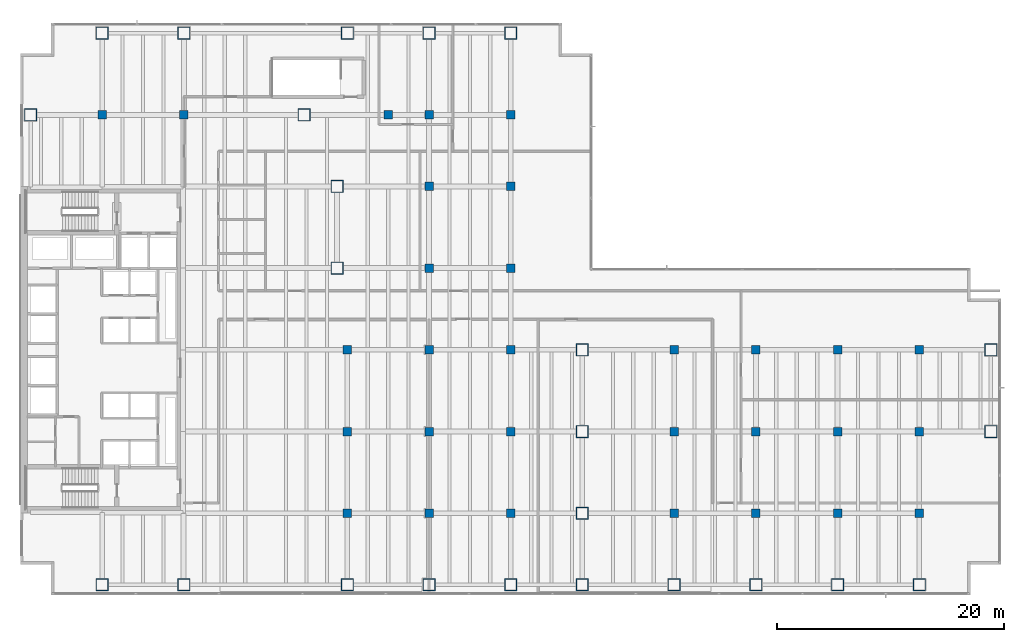
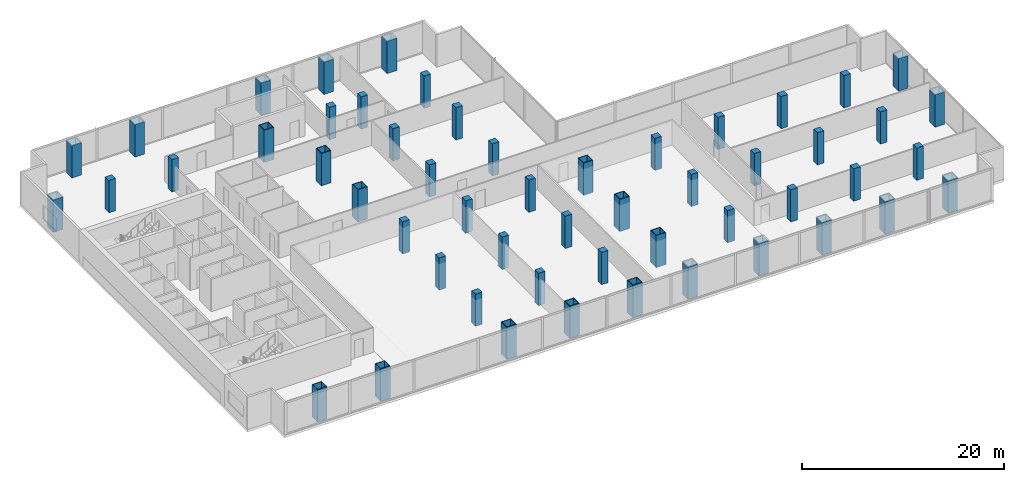
# One storey, part 1 of 32: 54 columns.
"""IFC4 building model written with IfcOpenShell, lengths in metres."""

from ifc_helpers import new_model, si_unit, direction, frame, origin, origin_2d, place, context, subcontext, project, spatial, rectangle, hollow_rectangle, extrude, material, material_profile, profile_set, type_object, element, save


model = new_model("IFC4")

# Units and contexts
model_context = context("Model", 3, precision=1e-05, world=origin(), true_north=direction((0.0, 1.0)))
body_context = subcontext(model_context, "Body", "Model", "MODEL_VIEW")
ifc_project = project(units=[si_unit("LENGTHUNIT", "METRE"), si_unit("AREAUNIT", "SQUARE_METRE"), si_unit("VOLUMEUNIT", "CUBIC_METRE"), si_unit("PLANEANGLEUNIT", "RADIAN"), si_unit("MASSUNIT", "GRAM", prefix="KILO")], contexts=[model_context])

# Site, building, storey
site_placement = place(None, origin())
site = spatial("IfcSite", under=ifc_project, at=site_placement, CompositionType="ELEMENT")
building_placement = place(site_placement, origin())
building = spatial("IfcBuilding", under=site, at=building_placement, Name="Cobrela Telecom Tower", CompositionType="ELEMENT")
storey_placement = place(building_placement, frame((0.0, 0.0, 22.050048828125)))
storey = spatial("IfcBuildingStorey", under=building, at=storey_placement, Name="L05", CompositionType="ELEMENT", Elevation=22.050048828125)

# Columns
ifc_material_1 = material(Name="Concrete C40/50", Category="concrete")
ifc_material_profile_1 = material_profile(ifc_material_1, rectangle(XDim=0.75, YDim=0.75, at=origin_2d()), Name="RC 750x750")
ifc_profile_set_1 = profile_set([ifc_material_profile_1], Name="Concrete C40/50")
column_type_1 = type_object("IfcColumnType", Name="COL-INT-03", PredefinedType="COLUMN", material=ifc_profile_set_1)
for number, where, z_axis, x_axis, name in (
    (1, (7.199951171875, 42.300048828125, 0.0), (0.0, 0.0, 1.0), (1.0, 0.0, 0.0), "L05 Interior Column 03"),
    (2, (14.39990234375, 42.300048828125, 0.0), (0.0, 0.0, 1.0), (1.0, 0.0, 0.0), "L05 Interior Column 06"),
    (3, (28.800048828125, 7.199951171875, 0.0), (0.0, 0.0, 1.0), (1.0, 0.0, 0.0), "L05 Interior Column 12"),
    (4, (28.800048828125, 14.39990234375, 0.0), (0.0, 0.0, 1.0), (1.0, 0.0, 0.0), "L05 Interior Column 13"),
    (5, (28.800048828125, 21.60009765625, 0.0), (0.0, 0.0, 1.0), (1.0, 0.0, 0.0), "L05 Interior Column 14"),
    (6, (32.39990234375, 42.300048828125, 0.0), (0.0, 0.0, 1.0), (1.0, 0.0, 0.0), "L05 Interior Column 16"),
    (7, (36.0, 7.199951171875, 0.0), (0.0, 0.0, 1.0), (1.0, 0.0, 0.0), "L05 Interior Column 18"),
    (8, (36.0, 14.39990234375, 0.0), (0.0, 0.0, 1.0), (1.0, 0.0, 0.0), "L05 Interior Column 19"),
    (9, (36.0, 21.60009765625, 0.0), (0.0, 0.0, 1.0), (1.0, 0.0, 0.0), "L05 Interior Column 20"),
    (10, (36.0, 28.800048828125, 0.0), (0.0, 0.0, 1.0), (1.0, 0.0, 0.0), "L05 Interior Column 21"),
    (11, (36.0, 36.0, 0.0), (0.0, 0.0, 1.0), (1.0, 0.0, 0.0), "L05 Interior Column 22"),
    (12, (36.0, 42.300048828125, 0.0), (0.0, 0.0, 1.0), (1.0, 0.0, 0.0), "L05 Interior Column 23"),
    (13, (43.199951171875, 7.199951171875, 0.0), (0.0, 0.0, 1.0), (1.0, 0.0, 0.0), "L05 Interior Column 26"),
    (14, (43.199951171875, 14.39990234375, 0.0), (0.0, 0.0, 1.0), (1.0, 0.0, 0.0), "L05 Interior Column 27"),
    (15, (43.199951171875, 21.60009765625, 0.0), (0.0, 0.0, 1.0), (1.0, 0.0, 0.0), "L05 Interior Column 28"),
    (16, (43.199951171875, 28.800048828125, 0.0), (0.0, 0.0, 1.0), (1.0, 0.0, 0.0), "L05 Interior Column 29"),
    (17, (43.199951171875, 36.0, 0.0), (0.0, 0.0, 1.0), (1.0, 0.0, 0.0), "L05 Interior Column 30"),
    (18, (43.199951171875, 42.300048828125, 0.0), (0.0, 0.0, 1.0), (1.0, 0.0, 0.0), "L05 Interior Column 31"),
    (19, (57.60009765625, 7.199951171875, 0.0), (0.0, 0.0, 1.0), (1.0, 0.0, 0.0), "L05 Interior Column 38"),
    (20, (57.60009765625, 14.39990234375, 0.0), (0.0, 0.0, 1.0), (1.0, 0.0, 0.0), "L05 Interior Column 39"),
    (21, (57.60009765625, 21.60009765625, 0.0), (0.0, 0.0, 1.0), (1.0, 0.0, 0.0), "L05 Interior Column 40"),
    (22, (64.800048828125, 7.199951171875, 0.0), (0.0, 0.0, 1.0), (1.0, 0.0, 0.0), "L05 Interior Column 42"),
    (23, (64.800048828125, 14.39990234375, 0.0), (0.0, 0.0, 1.0), (1.0, 0.0, 0.0), "L05 Interior Column 43"),
    (24, (64.800048828125, 21.60009765625, 0.0), (0.0, 0.0, 1.0), (1.0, 0.0, 0.0), "L05 Interior Column 44"),
    (25, (72.0, 7.199951171875, 0.0), (0.0, 0.0, 1.0), (1.0, 0.0, 0.0), "L05 Interior Column 46"),
    (26, (72.0, 14.39990234375, 0.0), (0.0, 0.0, 1.0), (1.0, 0.0, 0.0), "L05 Interior Column 47"),
    (27, (72.0, 21.60009765625, 0.0), (0.0, 0.0, 1.0), (1.0, 0.0, 0.0), "L05 Interior Column 48"),
    (28, (79.199951171875, 7.199951171875, 0.0), (0.0, 0.0, 1.0), (1.0, 0.0, 0.0), "L05 Interior Column 50"),
    (29, (79.199951171875, 14.39990234375, 0.0), (0.0, 0.0, 1.0), (1.0, 0.0, 0.0), "L05 Interior Column 51"),
    (30, (79.199951171875, 21.60009765625, 0.0), (0.0, 0.0, 1.0), (1.0, 0.0, 0.0), "L05 Interior Column 52"),
):
    element("IfcColumn", number, at=place(storey_placement, frame(where, z_axis=z_axis, x_axis=x_axis)), inside=storey, type_object=column_type_1, Name=name, PredefinedType="COLUMN", context=body_context, shape_type="SweptSolid", body=[
        extrude(rectangle(XDim=0.75, YDim=0.75, at=origin_2d()), origin(), (0.0, 0.0, 1.0), 3.89990234375),
    ])
ifc_material_2 = material(Name="Steel ASTM A572 Grade 50", Category="steel")
ifc_material_profile_2 = material_profile(ifc_material_2, hollow_rectangle(XDim=1.10009765625, YDim=1.10009765625, WallThickness=0.070068359375, at=origin_2d()), Name="BOX 1100x1100x70")
ifc_profile_set_2 = profile_set([ifc_material_profile_2], Name="Steel ASTM A572 Grade 50")
column_type_2 = type_object("IfcColumnType", Name="COL-MEGA-02", PredefinedType="COLUMN", material=ifc_profile_set_2)
for number, where, z_axis, x_axis, name in (
    (31, (0.89990234375, 42.300048828125, 0.0), (0.0, 0.0, 1.0), (1.0, 0.0, 0.0), "L05 Perimeter Mega-Column 01"),
    (32, (7.199951171875, 0.89990234375, 0.0), (0.0, 0.0, 1.0), (1.0, 0.0, 0.0), "L05 Perimeter Mega-Column 02"),
    (33, (7.199951171875, 49.5, 0.0), (0.0, 0.0, 1.0), (1.0, 0.0, 0.0), "L05 Perimeter Mega-Column 04"),
    (34, (14.39990234375, 0.89990234375, 0.0), (0.0, 0.0, 1.0), (1.0, 0.0, 0.0), "L05 Perimeter Mega-Column 05"),
    (35, (14.39990234375, 49.5, 0.0), (0.0, 0.0, 1.0), (1.0, 0.0, 0.0), "L05 Perimeter Mega-Column 07"),
    (36, (25.0, 42.300048828125, 0.0), (0.0, 0.0, 1.0), (1.0, 0.0, 0.0), "L05 Perimeter Mega-Column 08"),
    (37, (27.89990234375, 28.800048828125, 0.0), (0.0, 0.0, 1.0), (1.0, 0.0, 0.0), "L05 Perimeter Mega-Column 09"),
    (38, (27.89990234375, 36.0, 0.0), (0.0, 0.0, 1.0), (1.0, 0.0, 0.0), "L05 Perimeter Mega-Column 10"),
    (39, (28.800048828125, 0.89990234375, 0.0), (0.0, 0.0, 1.0), (1.0, 0.0, 0.0), "L05 Perimeter Mega-Column 11"),
    (40, (28.800048828125, 49.5, 0.0), (0.0, 0.0, 1.0), (1.0, 0.0, 0.0), "L05 Perimeter Mega-Column 15"),
    (41, (36.0, 0.89990234375, 0.0), (0.0, 0.0, 1.0), (1.0, 0.0, 0.0), "L05 Perimeter Mega-Column 17"),
    (42, (36.0, 49.5, 0.0), (0.0, 0.0, 1.0), (1.0, 0.0, 0.0), "L05 Perimeter Mega-Column 24"),
    (43, (43.199951171875, 0.89990234375, 0.0), (0.0, 0.0, 1.0), (1.0, 0.0, 0.0), "L05 Perimeter Mega-Column 25"),
    (44, (43.199951171875, 49.5, 0.0), (0.0, 0.0, 1.0), (1.0, 0.0, 0.0), "L05 Perimeter Mega-Column 32"),
    (45, (49.5, 0.89990234375, 0.0), (0.0, 0.0, 1.0), (1.0, 0.0, 0.0), "L05 Perimeter Mega-Column 33"),
    (46, (49.5, 7.199951171875, 0.0), (0.0, 0.0, 1.0), (1.0, 0.0, 0.0), "L05 Perimeter Mega-Column 34"),
    (47, (49.5, 14.39990234375, 0.0), (0.0, 0.0, 1.0), (1.0, 0.0, 0.0), "L05 Perimeter Mega-Column 35"),
    (48, (49.5, 21.60009765625, 0.0), (0.0, 0.0, 1.0), (1.0, 0.0, 0.0), "L05 Perimeter Mega-Column 36"),
    (49, (57.60009765625, 0.89990234375, 0.0), (0.0, 0.0, 1.0), (1.0, 0.0, 0.0), "L05 Perimeter Mega-Column 37"),
    (50, (64.800048828125, 0.89990234375, 0.0), (0.0, 0.0, 1.0), (1.0, 0.0, 0.0), "L05 Perimeter Mega-Column 41"),
    (51, (72.0, 0.89990234375, 0.0), (0.0, 0.0, 1.0), (1.0, 0.0, 0.0), "L05 Perimeter Mega-Column 45"),
    (52, (79.199951171875, 0.89990234375, 0.0), (0.0, 0.0, 1.0), (1.0, 0.0, 0.0), "L05 Perimeter Mega-Column 49"),
    (53, (85.5, 14.39990234375, 0.0), (0.0, 0.0, 1.0), (1.0, 0.0, 0.0), "L05 Perimeter Mega-Column 53"),
    (54, (85.5, 21.60009765625, 0.0), (0.0, 0.0, 1.0), (1.0, 0.0, 0.0), "L05 Perimeter Mega-Column 54"),
):
    element("IfcColumn", number, at=place(storey_placement, frame(where, z_axis=z_axis, x_axis=x_axis)), inside=storey, type_object=column_type_2, Name=name, PredefinedType="COLUMN", context=body_context, shape_type="SweptSolid", body=[
        extrude(hollow_rectangle(XDim=1.10009765625, YDim=1.10009765625, WallThickness=0.070068359375, at=origin_2d()), origin(), (0.0, 0.0, 1.0), 3.89990234375),
    ])

save(model, "model.ifc")
